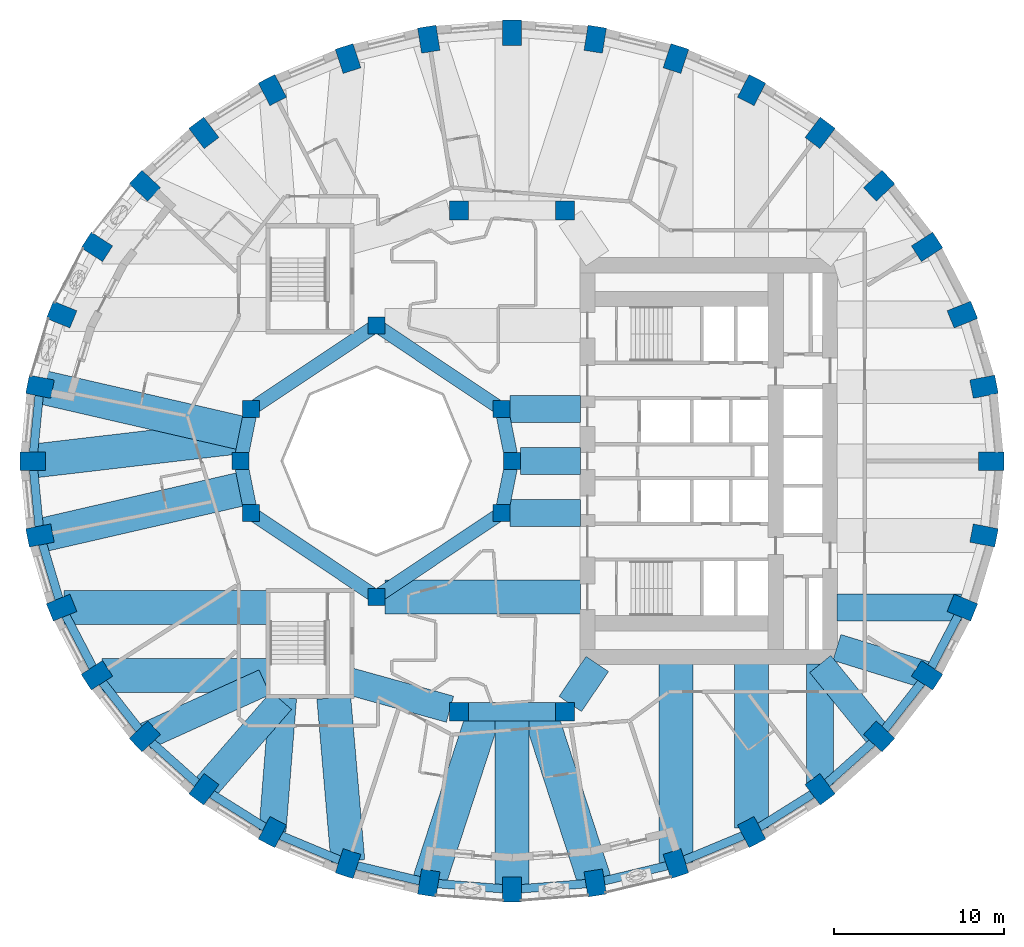
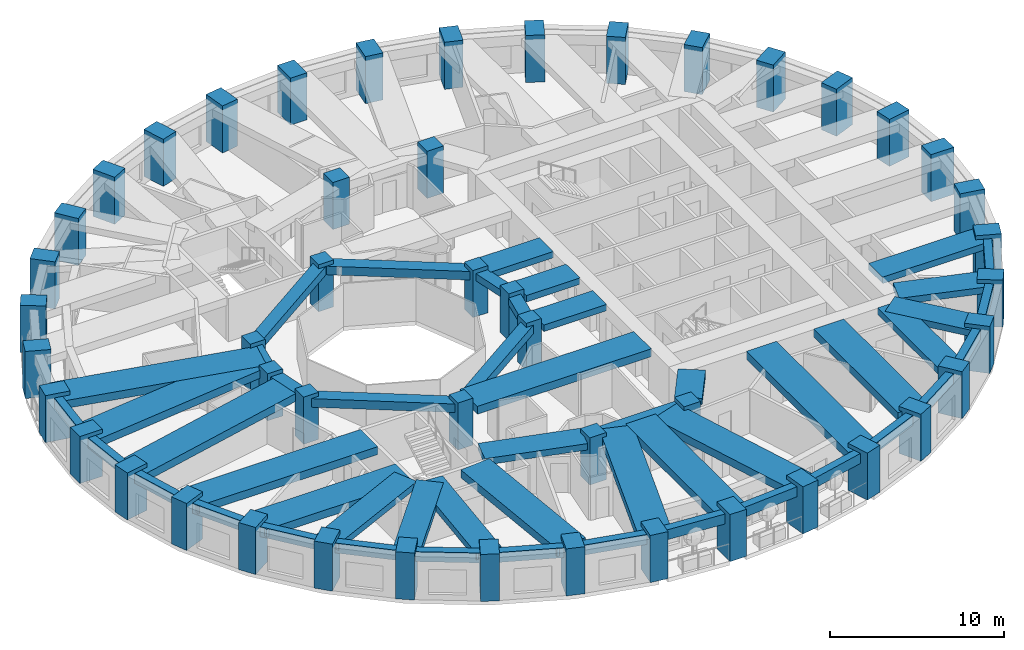
# One storey, part 1 of 13: 50 beams, 48 columns.
"""IFC4 building model written with IfcOpenShell, lengths in metres."""

from ifc_helpers import new_model, si_unit, direction, frame, origin, origin_2d, place, context, subcontext, project, spatial, rectangle, extrude, material, material_profile, profile_set, type_object, element, save


model = new_model("IFC4")

# Units and contexts
model_context = context("Model", 3, precision=1e-05, world=origin(), true_north=direction((0.0, 1.0)))
body_context = subcontext(model_context, "Body", "Model", "MODEL_VIEW")
ifc_project = project(units=[si_unit("LENGTHUNIT", "METRE"), si_unit("AREAUNIT", "SQUARE_METRE"), si_unit("VOLUMEUNIT", "CUBIC_METRE"), si_unit("PLANEANGLEUNIT", "RADIAN"), si_unit("MASSUNIT", "GRAM", prefix="KILO")], contexts=[model_context])

# Site, building, storey
site_placement = place(None, origin())
site = spatial("IfcSite", under=ifc_project, at=site_placement, CompositionType="ELEMENT")
building_placement = place(site_placement, origin())
building = spatial("IfcBuilding", under=site, at=building_placement, Name="Taillehof Tower", CompositionType="ELEMENT")
storey_placement = place(building_placement, frame((0.0, 0.0, 38.199951171875)))
storey = spatial("IfcBuildingStorey", under=building, at=storey_placement, Name="L09", CompositionType="ELEMENT", Elevation=38.199951171875)

# Columns
ifc_material_1 = material(Name="Concrete C50/60", Category="concrete")
ifc_material_profile_1 = material_profile(ifc_material_1, rectangle(XDim=1.0, YDim=1.0, at=origin_2d()), Name="RC 1000x1000")
ifc_profile_set_1 = profile_set([ifc_material_profile_1], Name="Concrete C50/60")
column_type_1 = type_object("IfcColumnType", Name="Atrium ring column C50/60 1000x1000", PredefinedType="COLUMN", material=ifc_profile_set_1)
for number, where, z_axis, x_axis, name in (
    (1, (0.0, 0.0, 0.0), (0.0, 0.0, 1.0), (1.0, 0.0, 0.0), "Column AC01"),
    (2, (-8.0, 8.0, 0.0), (0.0, 0.0, 1.0), (1.0, 0.0, 0.0), "Column AC05"),
    (3, (-15.39111328125, 3.0615234375, 0.0), (0.0, 0.0, 1.0), (1.0, 0.0, 0.0), "Column AC08"),
    (4, (-16.0, 0.0, 0.0), (0.0, 0.0, 1.0), (1.0, 0.0, 0.0), "Column AC09"),
    (5, (-15.39111328125, -3.0615234375, 0.0), (0.0, 0.0, 1.0), (1.0, 0.0, 0.0), "Column AC10"),
    (6, (-8.0, -8.0, 0.0), (0.0, 0.0, 1.0), (1.0, 0.0, 0.0), "Column AC13"),
):
    element("IfcColumn", number, at=place(storey_placement, frame(where, z_axis=z_axis, x_axis=x_axis)), inside=storey, type_object=column_type_1, Name=name, PredefinedType="COLUMN", context=body_context, shape_type="SweptSolid", body=[
        extrude(rectangle(XDim=1.0, YDim=1.0, at=origin_2d()), origin(), (0.0, 0.0, 1.0), 3.300048828125),
    ])
ifc_material_2 = material(Name="Concrete C60/75", Category="concrete")
ifc_material_profile_2 = material_profile(ifc_material_2, rectangle(XDim=1.0, YDim=1.0, at=origin_2d()), Name="RC 1000x1000")
ifc_profile_set_2 = profile_set([ifc_material_profile_2], Name="Concrete C60/75")
column_type_2 = type_object("IfcColumnType", Name="Atrium ring column C60/75 1000x1000", PredefinedType="COLUMN", material=ifc_profile_set_2)
for number, where, z_axis, x_axis, name in (
    (7, (-0.60888671875, 3.0615234375, 0.0), (0.0, 0.0, 1.0), (1.0, 0.0, 0.0), "Column AC02"),
    (8, (-0.60888671875, -3.0615234375, 0.0), (0.0, 0.0, 1.0), (1.0, 0.0, 0.0), "Column AC16"),
):
    element("IfcColumn", number, at=place(storey_placement, frame(where, z_axis=z_axis, x_axis=x_axis)), inside=storey, type_object=column_type_2, Name=name, PredefinedType="COLUMN", context=body_context, shape_type="SweptSolid", body=[
        extrude(rectangle(XDim=1.0, YDim=1.0, at=origin_2d()), origin(), (0.0, 0.0, 1.0), 3.300048828125),
    ])
ifc_material_3 = material(Name="Concrete C60/75", Category="concrete")
ifc_material_profile_3 = material_profile(ifc_material_3, rectangle(XDim=1.10009765625, YDim=1.10009765625, at=origin_2d()), Name="RC 1100x1100")
ifc_profile_set_3 = profile_set([ifc_material_profile_3], Name="Concrete C60/75")
column_type_3 = type_object("IfcColumnType", Name="Mid-ring column C60/75 1100x1100", PredefinedType="COLUMN", material=ifc_profile_set_3)
for number, where, z_axis, x_axis, name in (
    (9, (3.125732421875, 14.772216796875, 0.0), (0.0, 0.0, 1.0), (1.0, 0.0, 0.0), "Column MC05"),
    (10, (3.125732421875, -14.772216796875, 0.0), (0.0, 0.0, 1.0), (1.0, 0.0, 0.0), "Column MC15"),
):
    element("IfcColumn", number, at=place(storey_placement, frame(where, z_axis=z_axis, x_axis=x_axis)), inside=storey, type_object=column_type_3, Name=name, PredefinedType="COLUMN", context=body_context, shape_type="SweptSolid", body=[
        extrude(rectangle(XDim=1.10009765625, YDim=1.10009765625, at=origin_2d()), origin(), (0.0, 0.0, 1.0), 3.300048828125),
    ])
ifc_material_4 = material(Name="Concrete C70/85", Category="concrete")
ifc_material_profile_4 = material_profile(ifc_material_4, rectangle(XDim=1.10009765625, YDim=1.10009765625, at=origin_2d()), Name="RC 1100x1100")
ifc_profile_set_4 = profile_set([ifc_material_profile_4], Name="Concrete C70/85")
column_type_4 = type_object("IfcColumnType", Name="Mid-ring column C70/85 1100x1100", PredefinedType="COLUMN", material=ifc_profile_set_4)
column_1_placement = place(storey_placement, frame((-3.125732421875, -14.772216796875, 0.0), z_axis=(0.0, 0.0, 1.0), x_axis=(1.0, 0.0, 0.0)))
element("IfcColumn", 11, at=column_1_placement, inside=storey, type_object=column_type_4, Name="Column MC14", PredefinedType="COLUMN", context=body_context, shape_type="SweptSolid", body=[
    extrude(rectangle(XDim=1.10009765625, YDim=1.10009765625, at=origin_2d()), origin(), (0.0, 0.0, 1.0), 3.300048828125),
])
ifc_material_5 = material(Name="Concrete C80/95", Category="concrete")
ifc_material_profile_5 = material_profile(ifc_material_5, rectangle(XDim=1.10009765625, YDim=1.10009765625, at=origin_2d()), Name="RC 1100x1100")
ifc_profile_set_5 = profile_set([ifc_material_profile_5], Name="Concrete C80/95")
column_type_5 = type_object("IfcColumnType", Name="Mid-ring column C80/95 1100x1100", PredefinedType="COLUMN", material=ifc_profile_set_5)
column_2_placement = place(storey_placement, frame((-3.125732421875, 14.772216796875, 0.0), z_axis=(0.0, 0.0, 1.0), x_axis=(1.0, 0.0, 0.0)))
element("IfcColumn", 12, at=column_2_placement, inside=storey, type_object=column_type_5, Name="Column MC06", PredefinedType="COLUMN", context=body_context, shape_type="SweptSolid", body=[
    extrude(rectangle(XDim=1.10009765625, YDim=1.10009765625, at=origin_2d()), origin(), (0.0, 0.0, 1.0), 3.300048828125),
])
ifc_material_6 = material(Name="Concrete C70/85", Category="concrete")
ifc_material_profile_6 = material_profile(ifc_material_6, rectangle(XDim=1.5, YDim=1.10009765625, at=origin_2d()), Name="RC 1500x1100")
ifc_profile_set_6 = profile_set([ifc_material_profile_6], Name="Concrete C70/85")
column_type_6 = type_object("IfcColumnType", Name="Ring column C70/85 1500x1100", PredefinedType="COLUMN", material=ifc_profile_set_6)
for number, where, z_axis, x_axis, name in (
    (13, (28.25, 0.0, 0.0), (0.0, 0.0, 1.0), (1.0, 0.0, 0.0), "Ring column RC01"),
    (14, (27.82080078125, 4.384521484375, 0.0), (0.0, 0.0, 1.0), (0.98120354895, 0.192975634545, 0.0), "Ring column RC02"),
    (15, (26.54638671875, 8.635986328125, 0.0), (0.0, 0.0, 1.0), (0.926558045297, 0.37615181602, 0.0), "Ring column RC03"),
    (16, (24.46533203125, 12.625, 0.0), (0.0, 0.0, 1.0), (0.840753565229, 0.541417992456, 0.0), "Ring column RC04"),
    (17, (21.640869140625, 16.23046875, 0.0), (0.0, 0.0, 1.0), (0.730113022917, 0.683326403535, 0.0), "Ring column RC05"),
    (18, (18.15869140625, 19.342529296875, 0.0), (0.0, 0.0, 1.0), (0.601173783055, 0.79911831575, 0.0), "Ring column RC06"),
    (19, (14.125, 21.8671875, 0.0), (0.0, 0.0, 1.0), (0.459691308511, 0.888078769524, 0.0), "Ring column RC07"),
    (20, (9.662109375, 23.727294921875, 0.0), (0.0, 0.0, 1.0), (0.310219183529, 0.950665060981, 0.0), "Ring column RC08"),
    (21, (4.905517578125, 24.866455078125, 0.0), (0.0, 0.0, 1.0), (0.15614709407, 0.987733812833, 0.0), "Ring column RC09"),
    (22, (0.0, 25.25, 0.0), (0.0, 0.0, 1.0), (0.0, 1.0, 0.0), "Ring column RC10"),
    (23, (-4.905517578125, 24.866455078125, 0.0), (0.0, 0.0, 1.0), (-0.15614709407, 0.987733812833, 0.0), "Ring column RC11"),
    (24, (-9.662109375, 23.727294921875, 0.0), (0.0, 0.0, 1.0), (-0.310219183529, 0.950665060981, 0.0), "Ring column RC12"),
    (25, (-14.125, 21.8671875, 0.0), (0.0, 0.0, 1.0), (-0.459691308511, 0.888078769524, 0.0), "Ring column RC13"),
    (26, (-18.15869140625, 19.342529296875, 0.0), (0.0, 0.0, 1.0), (-0.601173783055, 0.79911831575, 0.0), "Ring column RC14"),
    (27, (-21.640869140625, 16.23046875, 0.0), (0.0, 0.0, 1.0), (-0.730113022917, 0.683326403535, 0.0), "Ring column RC15"),
    (28, (-24.46533203125, 12.625, 0.0), (0.0, 0.0, 1.0), (-0.840753565229, 0.541417992456, 0.0), "Ring column RC16"),
    (29, (-26.54638671875, 8.635986328125, 0.0), (0.0, 0.0, 1.0), (-0.926558045297, 0.37615181602, 0.0), "Ring column RC17"),
    (30, (-27.82080078125, 4.384521484375, 0.0), (0.0, 0.0, 1.0), (-0.98120354895, 0.192975634545, 0.0), "Ring column RC18"),
    (31, (-28.25, 0.0, 0.0), (0.0, 0.0, 1.0), (-1.0, 0.0, 0.0), "Ring column RC19"),
    (32, (-27.82080078125, -4.384521484375, 0.0), (0.0, 0.0, 1.0), (-0.98120354895, -0.192975634545, 0.0), "Ring column RC20"),
    (33, (-26.54638671875, -8.635986328125, 0.0), (0.0, 0.0, 1.0), (-0.926558045297, -0.37615181602, 0.0), "Ring column RC21"),
    (34, (-24.46533203125, -12.625, 0.0), (0.0, 0.0, 1.0), (-0.840753565229, -0.541417992456, 0.0), "Ring column RC22"),
    (35, (-21.640869140625, -16.23046875, 0.0), (0.0, 0.0, 1.0), (-0.730113022917, -0.683326403535, 0.0), "Ring column RC23"),
    (36, (-18.15869140625, -19.342529296875, 0.0), (0.0, 0.0, 1.0), (-0.601173783055, -0.79911831575, 0.0), "Ring column RC24"),
    (37, (-14.125, -21.8671875, 0.0), (0.0, 0.0, 1.0), (-0.459691308511, -0.888078769524, 0.0), "Ring column RC25"),
    (38, (-9.662109375, -23.727294921875, 0.0), (0.0, 0.0, 1.0), (-0.310219183529, -0.950665060981, 0.0), "Ring column RC26"),
    (39, (-4.905517578125, -24.866455078125, 0.0), (0.0, 0.0, 1.0), (-0.15614709407, -0.987733812833, 0.0), "Ring column RC27"),
    (40, (0.0, -25.25, 0.0), (0.0, 0.0, 1.0), (0.0, -1.0, 0.0), "Ring column RC28"),
    (41, (4.905517578125, -24.866455078125, 0.0), (0.0, 0.0, 1.0), (0.15614709407, -0.987733812833, 0.0), "Ring column RC29"),
    (42, (9.662109375, -23.727294921875, 0.0), (0.0, 0.0, 1.0), (0.310219183529, -0.950665060981, 0.0), "Ring column RC30"),
    (43, (14.125, -21.8671875, 0.0), (0.0, 0.0, 1.0), (0.459691308511, -0.888078769524, 0.0), "Ring column RC31"),
    (44, (18.15869140625, -19.342529296875, 0.0), (0.0, 0.0, 1.0), (0.601173783055, -0.79911831575, 0.0), "Ring column RC32"),
    (45, (21.640869140625, -16.23046875, 0.0), (0.0, 0.0, 1.0), (0.730113022917, -0.683326403535, 0.0), "Ring column RC33"),
    (46, (24.46533203125, -12.625, 0.0), (0.0, 0.0, 1.0), (0.840753565229, -0.541417992456, 0.0), "Ring column RC34"),
    (47, (26.54638671875, -8.635986328125, 0.0), (0.0, 0.0, 1.0), (0.926558045297, -0.37615181602, 0.0), "Ring column RC35"),
    (48, (27.82080078125, -4.384521484375, 0.0), (0.0, 0.0, 1.0), (0.98120354895, -0.192975634545, 0.0), "Ring column RC36"),
):
    element("IfcColumn", number, at=place(storey_placement, frame(where, z_axis=z_axis, x_axis=x_axis)), inside=storey, type_object=column_type_6, Name=name, PredefinedType="COLUMN", context=body_context, shape_type="SweptSolid", body=[
        extrude(rectangle(XDim=1.5, YDim=1.10009765625, at=origin_2d()), origin(), (0.0, 0.0, 1.0), 3.300048828125),
    ])

# Beams
ifc_material_7 = material(Name="Concrete C50/60", Category="concrete")
ifc_material_profile_7 = material_profile(ifc_material_7, rectangle(XDim=0.800048828125, YDim=0.5, at=origin_2d()), Name="RC 800x500")
ifc_profile_set_7 = profile_set([ifc_material_profile_7], Name="Concrete C50/60")
beam_type_1 = type_object("IfcBeamType", Name="Atrium ring beam C50/60 800x500", PredefinedType="BEAM", material=ifc_profile_set_7)
for number, where, z_axis, x_axis, name in (
    (49, (0.0, 0.0, 2.77001953125), (-0.195063155143, 0.980790683839, 0.0), (-0.980790683839, -0.195063155143, 0.0), "Atrium ring beam AB01"),
    (50, (-15.39111328125, 3.0615234375, 2.77001953125), (-0.195063155143, -0.980790683839, 0.0), (0.980790683839, -0.195063155143, 0.0), "Atrium ring beam AB04"),
    (51, (-16.0, 0.0, 2.77001953125), (0.195063155143, -0.980790683839, 0.0), (0.980790683839, 0.195063155143, 0.0), "Atrium ring beam AB05"),
    (52, (-0.60888671875, -3.0615234375, 2.77001953125), (0.195063155143, 0.980790683839, 0.0), (-0.980790683839, 0.195063155143, 0.0), "Atrium ring beam AB08"),
):
    element("IfcBeam", number, at=place(storey_placement, frame(where, z_axis=z_axis, x_axis=x_axis)), inside=storey, type_object=beam_type_1, Name=name, PredefinedType="BEAM", context=body_context, shape_type="SweptSolid", body=[
        extrude(rectangle(XDim=0.800048828125, YDim=0.5, at=origin_2d()), origin(), (0.0, 0.0, 1.0), 3.12158203125),
    ])
ifc_material_8 = material(Name="Concrete C50/60", Category="concrete")
ifc_material_profile_8 = material_profile(ifc_material_8, rectangle(XDim=0.800048828125, YDim=0.60009765625, at=origin_2d()), Name="RC 800x600")
ifc_profile_set_8 = profile_set([ifc_material_profile_8], Name="Concrete C50/60")
beam_type_2 = type_object("IfcBeamType", Name="Atrium ring beam C50/60 800x600", PredefinedType="BEAM", material=ifc_profile_set_8)
for number, where, z_axis, x_axis, name in (
    (53, (-0.60888671875, 3.0615234375, 2.719970703125), (-0.831475195687, 0.555561876804, 0.0), (-0.555561876804, -0.831475195687, 0.0), "Atrium ring beam AB02"),
    (54, (-8.0, 8.0, 2.719970703125), (-0.831475195687, -0.555561876804, 0.0), (0.555561876804, -0.831475195687, 0.0), "Atrium ring beam AB03"),
    (55, (-15.39111328125, -3.0615234375, 2.719970703125), (0.831475195687, -0.555561876804, 0.0), (0.555561876804, 0.831475195687, 0.0), "Atrium ring beam AB06"),
    (56, (-8.0, -8.0, 2.719970703125), (0.831475195687, 0.555561876804, 0.0), (-0.555561876804, 0.831475195687, 0.0), "Atrium ring beam AB07"),
):
    element("IfcBeam", number, at=place(storey_placement, frame(where, z_axis=z_axis, x_axis=x_axis)), inside=storey, type_object=beam_type_2, Name=name, PredefinedType="BEAM", context=body_context, shape_type="SweptSolid", body=[
        extrude(rectangle(XDim=0.800048828125, YDim=0.60009765625, at=origin_2d()), origin(), (0.0, 0.0, 1.0), 8.88916015625),
    ])
ifc_material_9 = material(Name="Concrete C50/60", Category="concrete")
ifc_material_profile_9 = material_profile(ifc_material_9, rectangle(XDim=1.10009765625, YDim=0.60009765625, at=origin_2d()), Name="RC 1100x600")
ifc_profile_set_9 = profile_set([ifc_material_profile_9], Name="Concrete C50/60")
beam_type_3 = type_object("IfcBeamType", Name="Mid-ring beam C50/60 1100x600", PredefinedType="BEAM", material=ifc_profile_set_9)
beam_1_placement = place(storey_placement, frame((-3.125732421875, -14.772216796875, 2.719970703125), z_axis=(1.0, 0.0, 0.0), x_axis=(0.0, 1.0, 0.0)))
element("IfcBeam", 57, at=beam_1_placement, inside=storey, type_object=beam_type_3, Name="Mid-ring beam MB02", PredefinedType="BEAM", context=body_context, shape_type="SweptSolid", body=[
    extrude(rectangle(XDim=1.10009765625, YDim=0.60009765625, at=origin_2d()), origin(), (0.0, 0.0, 1.0), 6.25146484375),
])
ifc_material_10 = material(Name="Concrete C50/60", Category="concrete")
ifc_material_profile_10 = material_profile(ifc_material_10, rectangle(XDim=1.60009765625, YDim=0.449951171875, at=origin_2d()), Name="RC 1600x450")
ifc_profile_set_10 = profile_set([ifc_material_profile_10], Name="Concrete C50/60")
beam_type_4 = type_object("IfcBeamType", Name="Radial band beam C50/60 1600x450", PredefinedType="BEAM", material=ifc_profile_set_10)
beam_2_placement = place(storey_placement, frame((-21.632568359375, -16.226806640625, 2.795166015625), z_axis=(0.911100590789, 0.412184077161, 0.0), x_axis=(-0.412184077161, 0.911100590789, 0.0)))
element("IfcBeam", 58, at=beam_2_placement, inside=storey, type_object=beam_type_4, Name="Radial band beam RB23", PredefinedType="BEAM", context=body_context, shape_type="SweptSolid", body=[
    extrude(rectangle(XDim=1.60009765625, YDim=0.449951171875, at=origin_2d()), origin(), (0.0, 0.0, 1.0), 7.740966796875),
])
beam_3_placement = place(storey_placement, frame((-18.15869140625, -19.342529296875, 2.795166015625), z_axis=(0.65721824087, 0.753700327628, 0.0), x_axis=(-0.753700327628, 0.65721824087, 0.0)))
element("IfcBeam", 59, at=beam_3_placement, inside=storey, type_object=beam_type_4, Name="Radial band beam RB24", PredefinedType="BEAM", context=body_context, shape_type="SweptSolid", body=[
    extrude(rectangle(XDim=1.60009765625, YDim=0.449951171875, at=origin_2d()), origin(), (0.0, 0.0, 1.0), 6.9384765625),
])
beam_4_placement = place(storey_placement, frame((-14.119873046875, -21.802978515625, 2.795166015625), z_axis=(0.079184740988, 0.996859958467, 0.0), x_axis=(-0.996859958467, 0.079184740988, 0.0)))
element("IfcBeam", 60, at=beam_4_placement, inside=storey, type_object=beam_type_4, Name="Radial band beam RB25", PredefinedType="BEAM", context=body_context, shape_type="SweptSolid", body=[
    extrude(rectangle(XDim=1.60009765625, YDim=0.449951171875, at=origin_2d()), origin(), (0.0, 0.0, 1.0), 7.87744140625),
])
beam_5_placement = place(storey_placement, frame((18.15869140625, -19.05517578125, 2.795166015625), z_axis=(0.0, 1.0, 0.0), x_axis=(-1.0, 0.0, 0.0)))
element("IfcBeam", 61, at=beam_5_placement, inside=storey, type_object=beam_type_4, Name="Radial band beam RB32", PredefinedType="BEAM", context=body_context, shape_type="SweptSolid", body=[
    extrude(rectangle(XDim=1.60009765625, YDim=0.449951171875, at=origin_2d()), origin(), (0.0, 0.0, 1.0), 7.105224609375),
])
beam_6_placement = place(storey_placement, frame((21.640869140625, -16.23046875, 2.795166015625), z_axis=(-0.630988373846, 0.775792286679, 0.0), x_axis=(-0.775792286679, -0.630988373846, 0.0)))
element("IfcBeam", 62, at=beam_6_placement, inside=storey, type_object=beam_type_4, Name="Radial band beam RB33", PredefinedType="BEAM", context=body_context, shape_type="SweptSolid", body=[
    extrude(rectangle(XDim=1.60009765625, YDim=0.449951171875, at=origin_2d()), origin(), (0.0, 0.0, 1.0), 5.503173828125),
])
beam_7_placement = place(storey_placement, frame((24.46533203125, -12.625, 2.795166015625), z_axis=(-0.955535654338, 0.294875589511, 0.0), x_axis=(-0.294875589511, -0.955535654338, 0.0)))
element("IfcBeam", 63, at=beam_7_placement, inside=storey, type_object=beam_type_4, Name="Radial band beam RB34", PredefinedType="BEAM", context=body_context, shape_type="SweptSolid", body=[
    extrude(rectangle(XDim=1.60009765625, YDim=0.449951171875, at=origin_2d()), origin(), (0.0, 0.0, 1.0), 5.560546875),
])
beam_8_placement = place(storey_placement, frame((26.490478515625, -8.635986328125, 2.795166015625), z_axis=(-1.0, 0.0, 0.0), x_axis=(0.0, -1.0, 0.0)))
element("IfcBeam", 64, at=beam_8_placement, inside=storey, type_object=beam_type_4, Name="Radial band beam RB35", PredefinedType="BEAM", context=body_context, shape_type="SweptSolid", body=[
    extrude(rectangle(XDim=1.60009765625, YDim=0.449951171875, at=origin_2d()), origin(), (0.0, 0.0, 1.0), 7.340576171875),
])
beam_9_placement = place(storey_placement, frame((0.5, 0.0, 2.795166015625), z_axis=(1.0, 0.0, 0.0), x_axis=(0.0, 1.0, 0.0)))
element("IfcBeam", 65, at=beam_9_placement, inside=storey, type_object=beam_type_4, Name="Inner band beam IB101", PredefinedType="BEAM", context=body_context, shape_type="SweptSolid", body=[
    extrude(rectangle(XDim=1.60009765625, YDim=0.449951171875, at=origin_2d()), origin(), (0.0, 0.0, 1.0), 3.550048828125),
])
for number, where, z_axis, x_axis, name in (
    (66, (-0.10888671875, 3.0615234375, 2.795166015625), (1.0, 0.0, 0.0), (0.0, 1.0, 0.0), "Inner band beam IB102"),
    (67, (-0.10888671875, -3.0615234375, 2.795166015625), (1.0, 0.0, 0.0), (0.0, 1.0, 0.0), "Inner band beam IB116"),
):
    element("IfcBeam", number, at=place(storey_placement, frame(where, z_axis=z_axis, x_axis=x_axis)), inside=storey, type_object=beam_type_4, Name=name, PredefinedType="BEAM", context=body_context, shape_type="SweptSolid", body=[
        extrude(rectangle(XDim=1.60009765625, YDim=0.449951171875, at=origin_2d()), origin(), (0.0, 0.0, 1.0), 4.158935546875),
    ])
beam_10_placement = place(storey_placement, frame((-3.655517578125, -14.624755859375, 2.795166015625), z_axis=(-0.963459369536, 0.267854518821, 0.0), x_axis=(-0.267854518821, -0.963459369536, 0.0)))
element("IfcBeam", 68, at=beam_10_placement, inside=storey, type_object=beam_type_4, Name="Inner band beam IB214", PredefinedType="BEAM", context=body_context, shape_type="SweptSolid", body=[
    extrude(rectangle(XDim=1.60009765625, YDim=0.449951171875, at=origin_2d()), origin(), (0.0, 0.0, 1.0), 6.096923828125),
])
beam_11_placement = place(storey_placement, frame((3.433837890625, -14.31640625, 2.795166015625), z_axis=(0.560112043398, 0.828416862962, 0.0), x_axis=(-0.828416862962, 0.560112043398, 0.0)))
element("IfcBeam", 69, at=beam_11_placement, inside=storey, type_object=beam_type_4, Name="Inner band beam IB215", PredefinedType="BEAM", context=body_context, shape_type="SweptSolid", body=[
    extrude(rectangle(XDim=1.60009765625, YDim=0.449951171875, at=origin_2d()), origin(), (0.0, 0.0, 1.0), 2.84619140625),
])
ifc_material_11 = material(Name="Concrete C50/60", Category="concrete")
ifc_material_profile_11 = material_profile(ifc_material_11, rectangle(XDim=2.0, YDim=0.550048828125, at=origin_2d()), Name="RC 2000x550")
ifc_profile_set_11 = profile_set([ifc_material_profile_11], Name="Concrete C50/60")
beam_type_5 = type_object("IfcBeamType", Name="Radial band beam C50/60 2000x550", PredefinedType="BEAM", material=ifc_profile_set_11)
beam_12_placement = place(storey_placement, frame((-27.82080078125, 4.384521484375, 2.7451171875), z_axis=(0.974509005862, -0.2243483842, 0.0), x_axis=(0.2243483842, 0.974509005862, 0.0)))
element("IfcBeam", 70, at=beam_12_placement, inside=storey, type_object=beam_type_5, Name="Radial band beam RB18", PredefinedType="BEAM", context=body_context, shape_type="SweptSolid", body=[
    extrude(rectangle(XDim=2.0, YDim=0.550048828125, at=origin_2d()), origin(), (0.0, 0.0, 1.0), 12.45458984375),
])
beam_13_placement = place(storey_placement, frame((-28.25, 0.0, 2.7451171875), z_axis=(0.993191188018, 0.11649576835, 0.0), x_axis=(-0.11649576835, 0.993191188018, 0.0)))
element("IfcBeam", 71, at=beam_13_placement, inside=storey, type_object=beam_type_5, Name="Radial band beam RB19", PredefinedType="BEAM", context=body_context, shape_type="SweptSolid", body=[
    extrude(rectangle(XDim=2.0, YDim=0.550048828125, at=origin_2d()), origin(), (0.0, 0.0, 1.0), 12.628662109375),
])
beam_14_placement = place(storey_placement, frame((-27.82080078125, -4.384521484375, 2.7451171875), z_axis=(0.974509005862, 0.2243483842, 0.0), x_axis=(-0.2243483842, 0.974509005862, 0.0)))
element("IfcBeam", 72, at=beam_14_placement, inside=storey, type_object=beam_type_5, Name="Radial band beam RB20", PredefinedType="BEAM", context=body_context, shape_type="SweptSolid", body=[
    extrude(rectangle(XDim=2.0, YDim=0.550048828125, at=origin_2d()), origin(), (0.0, 0.0, 1.0), 12.45458984375),
])
beam_15_placement = place(storey_placement, frame((-26.408935546875, -8.635986328125, 2.7451171875), z_axis=(1.0, 0.0, 0.0), x_axis=(0.0, 1.0, 0.0)))
element("IfcBeam", 73, at=beam_15_placement, inside=storey, type_object=beam_type_5, Name="Radial band beam RB21", PredefinedType="BEAM", context=body_context, shape_type="SweptSolid", body=[
    extrude(rectangle(XDim=2.0, YDim=0.550048828125, at=origin_2d()), origin(), (0.0, 0.0, 1.0), 11.958984375),
])
beam_16_placement = place(storey_placement, frame((-24.172607421875, -12.625, 2.7451171875), z_axis=(1.0, 0.0, 0.0), x_axis=(0.0, 1.0, 0.0)))
element("IfcBeam", 74, at=beam_16_placement, inside=storey, type_object=beam_type_5, Name="Radial band beam RB22", PredefinedType="BEAM", context=body_context, shape_type="SweptSolid", body=[
    extrude(rectangle(XDim=2.0, YDim=0.550048828125, at=origin_2d()), origin(), (0.0, 0.0, 1.0), 9.72265625),
])
beam_17_placement = place(storey_placement, frame((-9.675048828125, -23.575927734375, 2.7451171875), z_axis=(-0.085841202752, 0.996308831593, 0.0), x_axis=(-0.996308831593, -0.085841202752, 0.0)))
element("IfcBeam", 75, at=beam_17_placement, inside=storey, type_object=beam_type_5, Name="Radial band beam RB26", PredefinedType="BEAM", context=body_context, shape_type="SweptSolid", body=[
    extrude(rectangle(XDim=2.0, YDim=0.550048828125, at=origin_2d()), origin(), (0.0, 0.0, 1.0), 9.661376953125),
])
beam_18_placement = place(storey_placement, frame((-4.905517578125, -24.866455078125, 2.7451171875), z_axis=(0.309014294595, 0.951057393503, 0.0), x_axis=(-0.951057393503, 0.309014294595, 0.0)))
element("IfcBeam", 76, at=beam_18_placement, inside=storey, type_object=beam_type_5, Name="Radial band beam RB27", PredefinedType="BEAM", context=body_context, shape_type="SweptSolid", body=[
    extrude(rectangle(XDim=2.0, YDim=0.550048828125, at=origin_2d()), origin(), (0.0, 0.0, 1.0), 10.61376953125),
])
beam_19_placement = place(storey_placement, frame((0.0, -25.25, 2.7451171875), z_axis=(0.0, 1.0, 0.0), x_axis=(-1.0, 0.0, 0.0)))
element("IfcBeam", 77, at=beam_19_placement, inside=storey, type_object=beam_type_5, Name="Radial band beam RB28", PredefinedType="BEAM", context=body_context, shape_type="SweptSolid", body=[
    extrude(rectangle(XDim=2.0, YDim=0.550048828125, at=origin_2d()), origin(), (0.0, 0.0, 1.0), 10.477783203125),
])
beam_20_placement = place(storey_placement, frame((4.905517578125, -24.866455078125, 2.7451171875), z_axis=(-0.309014294595, 0.951057393503, 0.0), x_axis=(-0.951057393503, -0.309014294595, 0.0)))
element("IfcBeam", 78, at=beam_20_placement, inside=storey, type_object=beam_type_5, Name="Radial band beam RB29", PredefinedType="BEAM", context=body_context, shape_type="SweptSolid", body=[
    extrude(rectangle(XDim=2.0, YDim=0.550048828125, at=origin_2d()), origin(), (0.0, 0.0, 1.0), 10.61376953125),
])
beam_21_placement = place(storey_placement, frame((9.662109375, -23.664794921875, 2.7451171875), z_axis=(0.0, 1.0, 0.0), x_axis=(-1.0, 0.0, 0.0)))
element("IfcBeam", 79, at=beam_21_placement, inside=storey, type_object=beam_type_5, Name="Radial band beam RB30", PredefinedType="BEAM", context=body_context, shape_type="SweptSolid", body=[
    extrude(rectangle(XDim=2.0, YDim=0.550048828125, at=origin_2d()), origin(), (0.0, 0.0, 1.0), 11.71484375),
])
beam_22_placement = place(storey_placement, frame((14.125, -21.63232421875, 2.7451171875), z_axis=(0.0, 1.0, 0.0), x_axis=(-1.0, 0.0, 0.0)))
element("IfcBeam", 80, at=beam_22_placement, inside=storey, type_object=beam_type_5, Name="Radial band beam RB31", PredefinedType="BEAM", context=body_context, shape_type="SweptSolid", body=[
    extrude(rectangle(XDim=2.0, YDim=0.550048828125, at=origin_2d()), origin(), (0.0, 0.0, 1.0), 9.682373046875),
])
beam_23_placement = place(storey_placement, frame((-7.5, -8.0, 2.7451171875), z_axis=(1.0, 0.0, 0.0), x_axis=(0.0, 1.0, 0.0)))
element("IfcBeam", 81, at=beam_23_placement, inside=storey, type_object=beam_type_5, Name="Inner band beam IB113", PredefinedType="BEAM", context=body_context, shape_type="SweptSolid", body=[
    extrude(rectangle(XDim=2.0, YDim=0.550048828125, at=origin_2d()), origin(), (0.0, 0.0, 1.0), 11.550048828125),
])
ifc_material_12 = material(Name="Concrete C50/60", Category="concrete")
ifc_material_profile_12 = material_profile(ifc_material_12, rectangle(XDim=0.5, YDim=0.699951171875, at=origin_2d()), Name="RC 500x700")
ifc_profile_set_12 = profile_set([ifc_material_profile_12], Name="Concrete C50/60")
beam_type_6 = type_object("IfcBeamType", Name="Spandrel beam C50/60 500x700", PredefinedType="SPANDREL", material=ifc_profile_set_12)
for number, where, z_axis, x_axis, name in (
    (82, (-27.82080078125, 4.384521484375, 2.670166015625), (-0.097423973567, -0.99524297002, 0.0), (0.99524297002, -0.097423973567, 0.0), "Spandrel beam SB18"),
    (83, (-28.25, 0.0, 2.670166015625), (0.097423973567, -0.99524297002, 0.0), (0.99524297002, 0.097423973567, 0.0), "Spandrel beam SB19"),
):
    element("IfcBeam", number, at=place(storey_placement, frame(where, z_axis=z_axis, x_axis=x_axis)), inside=storey, type_object=beam_type_6, Name=name, PredefinedType="SPANDREL", context=body_context, shape_type="SweptSolid", body=[
        extrude(rectangle(XDim=0.5, YDim=0.699951171875, at=origin_2d()), origin(), (0.0, 0.0, 1.0), 4.405517578125),
    ])
beam_24_placement = place(storey_placement, frame((-27.82080078125, -4.384521484375, 2.670166015625), z_axis=(0.287135925407, -0.957889847707, 0.0), x_axis=(0.957889847707, 0.287135925407, 0.0)))
element("IfcBeam", 84, at=beam_24_placement, inside=storey, type_object=beam_type_6, Name="Spandrel beam SB20", PredefinedType="SPANDREL", context=body_context, shape_type="SweptSolid", body=[
    extrude(rectangle(XDim=0.5, YDim=0.699951171875, at=origin_2d()), origin(), (0.0, 0.0, 1.0), 4.4384765625),
])
beam_25_placement = place(storey_placement, frame((-26.54638671875, -8.635986328125, 2.670166015625), z_axis=(0.462536335232, -0.886600326297, 0.0), x_axis=(0.886600326297, 0.462536335232, 0.0)))
element("IfcBeam", 85, at=beam_25_placement, inside=storey, type_object=beam_type_6, Name="Spandrel beam SB21", PredefinedType="SPANDREL", context=body_context, shape_type="SweptSolid", body=[
    extrude(rectangle(XDim=0.5, YDim=0.699951171875, at=origin_2d()), origin(), (0.0, 0.0, 1.0), 4.499267578125),
])
beam_26_placement = place(storey_placement, frame((-24.46533203125, -12.625, 2.670166015625), z_axis=(0.616686200373, -0.787209076593, 0.0), x_axis=(0.787209076593, 0.616686200373, 0.0)))
element("IfcBeam", 86, at=beam_26_placement, inside=storey, type_object=beam_type_6, Name="Spandrel beam SB22", PredefinedType="SPANDREL", context=body_context, shape_type="SweptSolid", body=[
    extrude(rectangle(XDim=0.5, YDim=0.699951171875, at=origin_2d()), origin(), (0.0, 0.0, 1.0), 4.580078125),
])
beam_27_placement = place(storey_placement, frame((-21.640869140625, -16.23046875, 2.670166015625), z_axis=(0.745621283614, -0.666369943366, 0.0), x_axis=(0.666369943366, 0.745621283614, 0.0)))
element("IfcBeam", 87, at=beam_27_placement, inside=storey, type_object=beam_type_6, Name="Spandrel beam SB23", PredefinedType="SPANDREL", context=body_context, shape_type="SweptSolid", body=[
    extrude(rectangle(XDim=0.5, YDim=0.699951171875, at=origin_2d()), origin(), (0.0, 0.0, 1.0), 4.670166015625),
])
beam_28_placement = place(storey_placement, frame((-18.15869140625, -19.342529296875, 2.670166015625), z_axis=(0.847658018883, -0.530543007703, 0.0), x_axis=(0.530543007703, 0.847658018883, 0.0)))
element("IfcBeam", 88, at=beam_28_placement, inside=storey, type_object=beam_type_6, Name="Spandrel beam SB24", PredefinedType="SPANDREL", context=body_context, shape_type="SweptSolid", body=[
    extrude(rectangle(XDim=0.5, YDim=0.699951171875, at=origin_2d()), origin(), (0.0, 0.0, 1.0), 4.758544921875),
])
beam_29_placement = place(storey_placement, frame((-14.125, -21.8671875, 2.670166015625), z_axis=(0.923035088053, -0.384715773297, 0.0), x_axis=(0.384715773297, 0.923035088053, 0.0)))
element("IfcBeam", 89, at=beam_29_placement, inside=storey, type_object=beam_type_6, Name="Spandrel beam SB25", PredefinedType="SPANDREL", context=body_context, shape_type="SweptSolid", body=[
    extrude(rectangle(XDim=0.5, YDim=0.699951171875, at=origin_2d()), origin(), (0.0, 0.0, 1.0), 4.8349609375),
])
beam_30_placement = place(storey_placement, frame((-9.662109375, -23.727294921875, 2.670166015625), z_axis=(0.9724995553, -0.232904733616, 0.0), x_axis=(0.232904733616, 0.9724995553, 0.0)))
element("IfcBeam", 90, at=beam_30_placement, inside=storey, type_object=beam_type_6, Name="Spandrel beam SB26", PredefinedType="SPANDREL", context=body_context, shape_type="SweptSolid", body=[
    extrude(rectangle(XDim=0.5, YDim=0.699951171875, at=origin_2d()), origin(), (0.0, 0.0, 1.0), 4.89111328125),
])
for number, where, z_axis, x_axis, name in (
    (91, (-4.905517578125, -24.866455078125, 2.670166015625), (0.996957383661, -0.077948541767, 0.0), (0.077948541767, 0.996957383661, 0.0), "Spandrel beam SB27"),
    (92, (0.0, -25.25, 2.670166015625), (0.996957383661, 0.077948541767, 0.0), (-0.077948541767, 0.996957383661, 0.0), "Spandrel beam SB28"),
):
    element("IfcBeam", number, at=place(storey_placement, frame(where, z_axis=z_axis, x_axis=x_axis)), inside=storey, type_object=beam_type_6, Name=name, PredefinedType="SPANDREL", context=body_context, shape_type="SweptSolid", body=[
        extrude(rectangle(XDim=0.5, YDim=0.699951171875, at=origin_2d()), origin(), (0.0, 0.0, 1.0), 4.92041015625),
    ])
beam_31_placement = place(storey_placement, frame((4.905517578125, -24.866455078125, 2.670166015625), z_axis=(0.9724995553, 0.232904733616, 0.0), x_axis=(-0.232904733616, 0.9724995553, 0.0)))
element("IfcBeam", 93, at=beam_31_placement, inside=storey, type_object=beam_type_6, Name="Spandrel beam SB29", PredefinedType="SPANDREL", context=body_context, shape_type="SweptSolid", body=[
    extrude(rectangle(XDim=0.5, YDim=0.699951171875, at=origin_2d()), origin(), (0.0, 0.0, 1.0), 4.89111328125),
])
beam_32_placement = place(storey_placement, frame((9.662109375, -23.727294921875, 2.670166015625), z_axis=(0.923035088053, 0.384715773297, 0.0), x_axis=(-0.384715773297, 0.923035088053, 0.0)))
element("IfcBeam", 94, at=beam_32_placement, inside=storey, type_object=beam_type_6, Name="Spandrel beam SB30", PredefinedType="SPANDREL", context=body_context, shape_type="SweptSolid", body=[
    extrude(rectangle(XDim=0.5, YDim=0.699951171875, at=origin_2d()), origin(), (0.0, 0.0, 1.0), 4.8349609375),
])
beam_33_placement = place(storey_placement, frame((14.125, -21.8671875, 2.670166015625), z_axis=(0.847658018883, 0.530543007703, 0.0), x_axis=(-0.530543007703, 0.847658018883, 0.0)))
element("IfcBeam", 95, at=beam_33_placement, inside=storey, type_object=beam_type_6, Name="Spandrel beam SB31", PredefinedType="SPANDREL", context=body_context, shape_type="SweptSolid", body=[
    extrude(rectangle(XDim=0.5, YDim=0.699951171875, at=origin_2d()), origin(), (0.0, 0.0, 1.0), 4.758544921875),
])
beam_34_placement = place(storey_placement, frame((18.15869140625, -19.342529296875, 2.670166015625), z_axis=(0.745621283614, 0.666369943366, 0.0), x_axis=(-0.666369943366, 0.745621283614, 0.0)))
element("IfcBeam", 96, at=beam_34_placement, inside=storey, type_object=beam_type_6, Name="Spandrel beam SB32", PredefinedType="SPANDREL", context=body_context, shape_type="SweptSolid", body=[
    extrude(rectangle(XDim=0.5, YDim=0.699951171875, at=origin_2d()), origin(), (0.0, 0.0, 1.0), 4.670166015625),
])
beam_35_placement = place(storey_placement, frame((21.640869140625, -16.23046875, 2.670166015625), z_axis=(0.616686200373, 0.787209076593, 0.0), x_axis=(-0.787209076593, 0.616686200373, 0.0)))
element("IfcBeam", 97, at=beam_35_placement, inside=storey, type_object=beam_type_6, Name="Spandrel beam SB33", PredefinedType="SPANDREL", context=body_context, shape_type="SweptSolid", body=[
    extrude(rectangle(XDim=0.5, YDim=0.699951171875, at=origin_2d()), origin(), (0.0, 0.0, 1.0), 4.580078125),
])
beam_36_placement = place(storey_placement, frame((24.46533203125, -12.625, 2.670166015625), z_axis=(0.462536335232, 0.886600326297, 0.0), x_axis=(-0.886600326297, 0.462536335232, 0.0)))
element("IfcBeam", 98, at=beam_36_placement, inside=storey, type_object=beam_type_6, Name="Spandrel beam SB34", PredefinedType="SPANDREL", context=body_context, shape_type="SweptSolid", body=[
    extrude(rectangle(XDim=0.5, YDim=0.699951171875, at=origin_2d()), origin(), (0.0, 0.0, 1.0), 4.499267578125),
])

save(model, "model.ifc")
